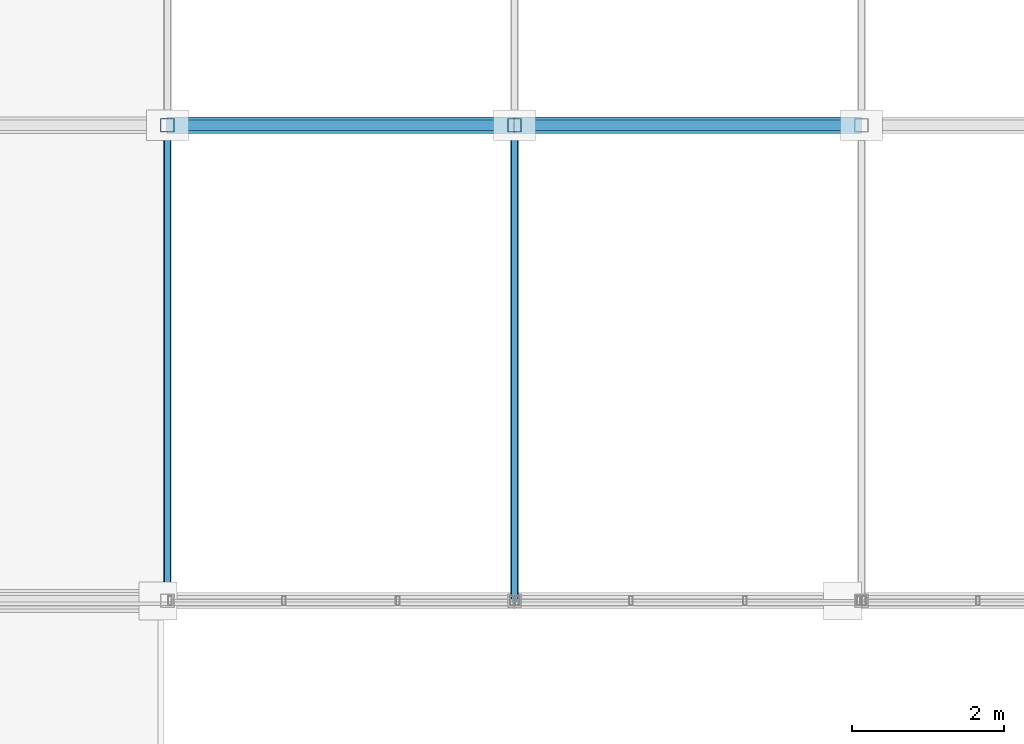
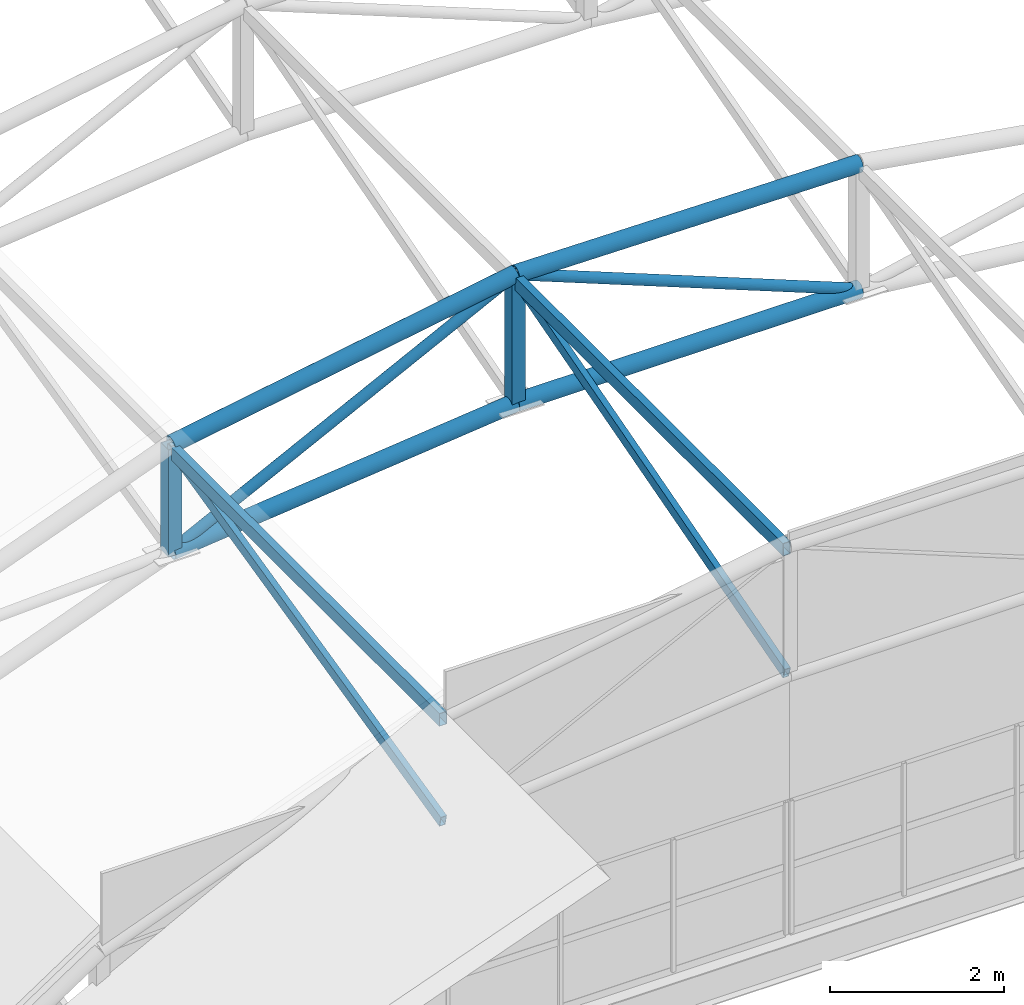
# One storey, part 61 of 101: 12 members.
"""IFC4 building model written with IfcOpenShell, lengths in metres."""

from ifc_helpers import new_model, si_unit, direction, frame, origin, origin_2d, place, context, subcontext, project, spatial, hollow_rectangle, hollow_circle, extrude, material, material_profile, profile_set, type_object, element, save


model = new_model("IFC4")

# Units and contexts
model_context = context("Model", 3, precision=1e-05, world=origin(), true_north=direction((0.0, 1.0)))
body_context = subcontext(model_context, "Body", "Model", "MODEL_VIEW")
ifc_project = project(units=[si_unit("LENGTHUNIT", "METRE"), si_unit("AREAUNIT", "SQUARE_METRE"), si_unit("VOLUMEUNIT", "CUBIC_METRE"), si_unit("PLANEANGLEUNIT", "RADIAN"), si_unit("MASSUNIT", "GRAM", prefix="KILO")], contexts=[model_context])

# Site, building, storey
site_placement = place(None, origin())
site = spatial("IfcSite", under=ifc_project, at=site_placement, CompositionType="ELEMENT")
building_placement = place(site_placement, origin())
building = spatial("IfcBuilding", under=site, at=building_placement, Name="Solvikara Media Centre", CompositionType="ELEMENT")
storey_placement = place(building_placement, frame((0.0, 0.0, 10.199951171875)))
storey = spatial("IfcBuildingStorey", under=building, at=storey_placement, Name="L02", CompositionType="ELEMENT", Elevation=10.199951171875)

# Members
ifc_material = material(Name="Steel S355JR", Category="steel")
ifc_material_profile_1 = material_profile(ifc_material, hollow_circle(Radius=0.109619140625, WallThickness=0.008056640625, at=origin_2d()), Name="CHS 219.1x8")
ifc_profile_set_1 = profile_set([ifc_material_profile_1], Name="Steel S355JR")
member_type_1 = type_object("IfcMemberType", Name="MB-05", PredefinedType="CHORD", material=ifc_profile_set_1)
member_1_placement = place(storey_placement, frame((136.625, 95.25, 4.66796875), z_axis=(0.98541075968, 0.0, 0.170192933775), x_axis=(0.0, 1.0, 0.0)))
element("IfcMember", 1, at=member_1_placement, inside=storey, type_object=member_type_1, Name="BSB-TC-01-02", PredefinedType="CHORD", context=body_context, shape_type="SweptSolid", body=[
    extrude(hollow_circle(Radius=0.109619140625, WallThickness=0.008056640625, at=origin_2d()), origin(), (0.0, 0.0, 1.0), 4.630615234375),
])
member_2_placement = place(storey_placement, frame((136.625, 95.25, 3.16796875), z_axis=(0.994463096743, 0.0, 0.105086389303), x_axis=(0.0, 1.0, 0.0)))
element("IfcMember", 2, at=member_2_placement, inside=storey, type_object=member_type_1, Name="BSB-BC-01-02", PredefinedType="CHORD", context=body_context, shape_type="SweptSolid", body=[
    extrude(hollow_circle(Radius=0.109619140625, WallThickness=0.008056640625, at=origin_2d()), origin(), (0.0, 0.0, 1.0), 4.58837890625),
])
member_3_placement = place(storey_placement, frame((141.18798828125, 95.25, 5.4560546875), z_axis=(0.999949391899, 0.0, -0.010060499073), x_axis=(0.0, 1.0, 0.0)))
element("IfcMember", 3, at=member_3_placement, inside=storey, type_object=member_type_1, Name="BSB-TC-01-03", PredefinedType="CHORD", context=body_context, shape_type="SweptSolid", body=[
    extrude(hollow_circle(Radius=0.109619140625, WallThickness=0.008056640625, at=origin_2d()), origin(), (0.0, 0.0, 1.0), 4.562255859375),
])
member_4_placement = place(storey_placement, frame((141.18798828125, 95.25, 3.650146484375), z_axis=(1.0, 0.0, 0.0), x_axis=(0.0, 1.0, 0.0)))
element("IfcMember", 4, at=member_4_placement, inside=storey, type_object=member_type_1, Name="BSB-BC-01-03", PredefinedType="CHORD", context=body_context, shape_type="SweptSolid", body=[
    extrude(hollow_circle(Radius=0.109619140625, WallThickness=0.008056640625, at=origin_2d()), origin(), (0.0, 0.0, 1.0), 4.56201171875),
])
ifc_material_profile_2 = material_profile(ifc_material, hollow_circle(Radius=0.06982421875, WallThickness=0.00634765625, at=origin_2d()), Name="CHS 139.7x6.3")
ifc_profile_set_2 = profile_set([ifc_material_profile_2], Name="Steel S355JR")
member_type_2 = type_object("IfcMemberType", Name="MB-08", PredefinedType="BRACE", material=ifc_profile_set_2)
member_5_placement = place(storey_placement, frame((136.625, 95.25, 3.16796875), z_axis=(0.893910049242, 0.0, 0.448246387453), x_axis=(0.0, 1.0, 0.0)))
element("IfcMember", 5, at=member_5_placement, inside=storey, type_object=member_type_2, Name="BSB-DG-01-02", PredefinedType="BRACE", context=body_context, shape_type="SweptSolid", body=[
    extrude(hollow_circle(Radius=0.06982421875, WallThickness=0.00634765625, at=origin_2d()), origin(), (0.0, 0.0, 1.0), 5.1044921875),
])
member_6_placement = place(storey_placement, frame((141.18798828125, 95.25, 5.4560546875), z_axis=(0.929798808243, 0.0, -0.368068167857), x_axis=(0.0, 1.0, 0.0)))
element("IfcMember", 6, at=member_6_placement, inside=storey, type_object=member_type_2, Name="BSB-DG-01-03", PredefinedType="BRACE", context=body_context, shape_type="SweptSolid", body=[
    extrude(hollow_circle(Radius=0.06982421875, WallThickness=0.00634765625, at=origin_2d()), origin(), (0.0, 0.0, 1.0), 4.906494140625),
])
ifc_material_profile_3 = material_profile(ifc_material, hollow_rectangle(XDim=0.179931640625, YDim=0.179931640625, WallThickness=0.008056640625, at=origin_2d()), Name="RHS 180x180x8")
ifc_profile_set_3 = profile_set([ifc_material_profile_3], Name="Steel S355JR")
member_type_3 = type_object("IfcMemberType", Name="MB-14", PredefinedType="BRACE", material=ifc_profile_set_3)
member_7_placement = place(storey_placement, frame((136.625, 95.25, 3.16796875), z_axis=(0.0, 0.0, 1.0), x_axis=(1.0, 0.0, 0.0)))
element("IfcMember", 7, at=member_7_placement, inside=storey, type_object=member_type_3, Name="BSB-VT-01-02", PredefinedType="BRACE", context=body_context, shape_type="SweptSolid", body=[
    extrude(hollow_rectangle(XDim=0.179931640625, YDim=0.179931640625, WallThickness=0.008056640625, at=origin_2d()), origin(), (0.0, 0.0, 1.0), 1.5),
])
member_8_placement = place(storey_placement, frame((141.18798828125, 95.25, 3.650146484375), z_axis=(0.0, 0.0, 1.0), x_axis=(1.0, 0.0, 0.0)))
element("IfcMember", 8, at=member_8_placement, inside=storey, type_object=member_type_3, Name="BSB-VT-01-03", PredefinedType="BRACE", context=body_context, shape_type="SweptSolid", body=[
    extrude(hollow_rectangle(XDim=0.179931640625, YDim=0.179931640625, WallThickness=0.008056640625, at=origin_2d()), origin(), (0.0, 0.0, 1.0), 1.805908203125),
])
ifc_material_profile_4 = material_profile(ifc_material, hollow_rectangle(XDim=0.10009765625, YDim=0.179931640625, WallThickness=0.0048828125, at=origin_2d()), Name="RHS 180x100x5")
ifc_profile_set_4 = profile_set([ifc_material_profile_4], Name="Steel S355JR")
member_type_4 = type_object("IfcMemberType", Name="MB-18", PredefinedType="PURLIN", material=ifc_profile_set_4)
for number, where, z_axis, x_axis, name in (
    (9, (136.625, 89.0, 4.60302734375), (0.0, 1.0, 0.0), (-1.0, 0.0, 0.0), "BSB-PRL-00-02"),
    (10, (141.18798828125, 89.0, 5.39111328125), (0.0, 1.0, 0.0), (-1.0, 0.0, 0.0), "BSB-PRL-00-03"),
):
    element("IfcMember", number, at=place(storey_placement, frame(where, z_axis=z_axis, x_axis=x_axis)), inside=storey, type_object=member_type_4, Name=name, PredefinedType="PURLIN", context=body_context, shape_type="SweptSolid", body=[
        extrude(hollow_rectangle(XDim=0.10009765625, YDim=0.179931640625, WallThickness=0.0048828125, at=origin_2d()), origin(), (0.0, 0.0, 1.0), 6.25),
    ])
ifc_material_profile_5 = material_profile(ifc_material, hollow_rectangle(XDim=0.080078125, YDim=0.14990234375, WallThickness=0.0048828125, at=origin_2d()), Name="RHS 150x80x5")
ifc_profile_set_5 = profile_set([ifc_material_profile_5], Name="Steel S355JR")
member_type_5 = type_object("IfcMemberType", Name="MB-27", PredefinedType="PURLIN", material=ifc_profile_set_5)
member_9_placement = place(storey_placement, frame((136.625, 89.0, 3.16796875), z_axis=(0.0, 0.973607860399, 0.228227373838), x_axis=(-1.0, 0.0, 0.0)))
element("IfcMember", 11, at=member_9_placement, inside=storey, type_object=member_type_5, Name="BSB-3D-00-02", PredefinedType="PURLIN", context=body_context, shape_type="SweptSolid", body=[
    extrude(hollow_rectangle(XDim=0.080078125, YDim=0.14990234375, WallThickness=0.0048828125, at=origin_2d()), origin(), (0.0, 0.0, 1.0), 6.41943359375),
])
member_10_placement = place(storey_placement, frame((141.18798828125, 89.0, 3.650146484375), z_axis=(0.0, 0.962120154599, 0.272625765682), x_axis=(-1.0, 0.0, 0.0)))
element("IfcMember", 12, at=member_10_placement, inside=storey, type_object=member_type_5, Name="BSB-3D-00-03", PredefinedType="PURLIN", context=body_context, shape_type="SweptSolid", body=[
    extrude(hollow_rectangle(XDim=0.080078125, YDim=0.14990234375, WallThickness=0.0048828125, at=origin_2d()), origin(), (0.0, 0.0, 1.0), 6.49609375),
])

save(model, "model.ifc")
